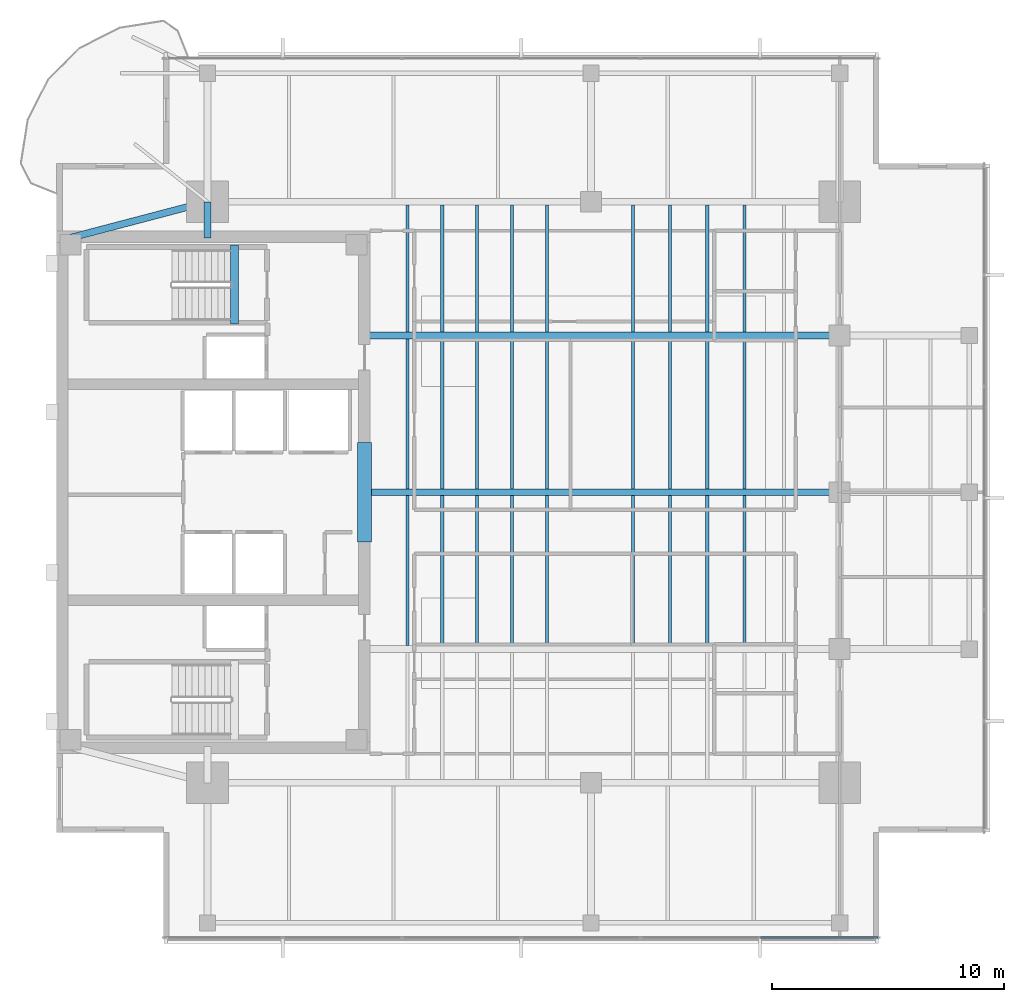
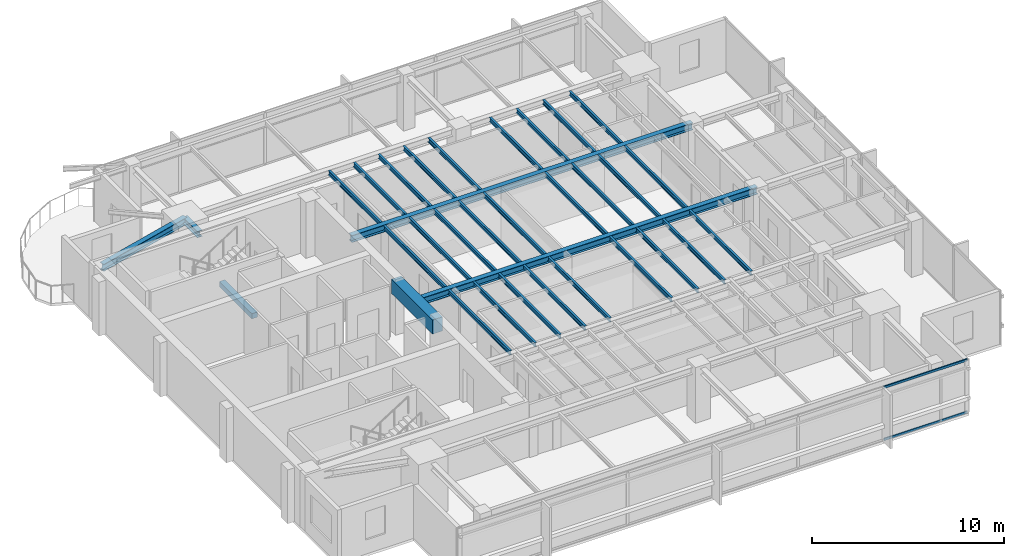
# One storey, part 3 of 14: 33 beams, 2 members, 1 element without a shape of its own.
"""IFC4 building model written with IfcOpenShell, lengths in metres."""

from ifc_helpers import new_model, si_unit, direction, frame, origin, origin_2d, place, context, subcontext, project, spatial, rectangle, i_section, extrude, material, layer, layer_set, material_profile, profile_set, type_object, element, aggregate, save


model = new_model("IFC4")

# Units and contexts
model_context = context("Model", 3, precision=1e-05, world=origin(), true_north=direction((0.0, 1.0)))
body_context = subcontext(model_context, "Body", "Model", "MODEL_VIEW")
ifc_project = project(units=[si_unit("LENGTHUNIT", "METRE"), si_unit("AREAUNIT", "SQUARE_METRE"), si_unit("VOLUMEUNIT", "CUBIC_METRE"), si_unit("PLANEANGLEUNIT", "RADIAN"), si_unit("MASSUNIT", "GRAM", prefix="KILO")], contexts=[model_context])

# Site, building, storey
site_placement = place(None, origin())
site = spatial("IfcSite", under=ifc_project, at=site_placement, CompositionType="ELEMENT")
building_placement = place(site_placement, origin())
building = spatial("IfcBuilding", under=site, at=building_placement, Name="Kinhvarn Gate Tower", CompositionType="ELEMENT")
storey_placement = place(building_placement, frame((0.0, 0.0, 252.800048828125)))
storey = spatial("IfcBuildingStorey", under=building, at=storey_placement, Name="L67", CompositionType="ELEMENT", Elevation=252.800048828125)

# Beams
ifc_material_1 = material(Name="Concrete C60/75", Category="concrete")
ifc_material_profile_1 = material_profile(ifc_material_1, rectangle(XDim=0.60009765625, YDim=0.89990234375, at=origin_2d()), Name="RC 600x900")
ifc_profile_set_1 = profile_set([ifc_material_profile_1], Name="Concrete C60/75")
beam_type_1 = type_object("IfcBeamType", Name="BM-CB-900", PredefinedType="LINTEL", material=ifc_profile_set_1)
beam_1_placement = place(storey_placement, frame((17.75, 23.10009765625, 2.93994140625), z_axis=(0.0, 1.0, 0.0), x_axis=(-1.0, 0.0, 0.0)))
element("IfcBeam", 1, at=beam_1_placement, inside=storey, type_object=beam_type_1, Name="Core East Portal Coupling Beam L67", PredefinedType="LINTEL", context=body_context, shape_type="SweptSolid", body=[
    extrude(rectangle(XDim=0.60009765625, YDim=0.89990234375, at=origin_2d()), origin(), (0.0, 0.0, 1.0), 4.2998046875),
])
ifc_material_2 = material(Name="Concrete C50/60", Category="concrete")
ifc_material_profile_2 = material_profile(ifc_material_2, rectangle(XDim=0.340087890625, YDim=0.320068359375, at=origin_2d()), Name="RC 340x320")
ifc_profile_set_2 = profile_set([ifc_material_profile_2], Name="Concrete C50/60")
beam_type_2 = type_object("IfcBeamType", Name="BM-LND-500", PredefinedType="BEAM", material=ifc_profile_set_2)
beam_2_placement = place(storey_placement, frame((12.1650390625, 32.5, -0.16015625), z_axis=(0.0, 1.0, 0.0), x_axis=(-1.0, 0.0, 0.0)))
element("IfcBeam", 2, at=beam_2_placement, inside=storey, type_object=beam_type_2, Name="Stair ST2 Landing Nosing Beam (L67)", PredefinedType="BEAM", context=body_context, shape_type="SweptSolid", body=[
    extrude(rectangle(XDim=0.340087890625, YDim=0.320068359375, at=origin_2d()), origin(), (0.0, 0.0, 1.0), 3.39990234375),
])

# Curtain wall, members
ifc_material_3 = material(Name="Anodised aluminium AW-6063", Category="aluminium")
ifc_layer = layer(ifc_material_3, 0.179931640625)
ifc_layer_set = layer_set([ifc_layer], Name="Anodised aluminium AW-6063")
curtain_wall_type = type_object("IfcCurtainWallType", Name="CW-SYS-3", PredefinedType="NOTDEFINED", material=ifc_layer_set)
curtain_wall_placement = place(storey_placement, origin())
curtain_wall = element("IfcCurtainWall", 3, at=curtain_wall_placement, inside=storey, type_object=curtain_wall_type, Name="Curtain Wall CW3 (L67)", PredefinedType="NOTDEFINED")
ifc_material_profile_3 = material_profile(ifc_material_3, rectangle(XDim=0.070068359375, YDim=0.139892578125, at=origin_2d()), Name="ALU 70x140")
ifc_profile_set_3 = profile_set([ifc_material_profile_3], Name="Anodised aluminium AW-6063")
member_type = type_object("IfcMemberType", Name="CW-TRN-140", PredefinedType="USERDEFINED", material=ifc_profile_set_3)
member_1_placement = place(storey_placement, frame((34.799072265625, 6.090087890625, 0.034912109375), z_axis=(1.0, 0.0, 0.0), x_axis=(0.0, 1.0, 0.0)))
member_1 = element("IfcMember", 4, at=member_1_placement, type_object=member_type, Name="CW3 transom 6.1", ObjectType="TRANSOM", PredefinedType="USERDEFINED", context=body_context, shape_type="SweptSolid", body=[
    extrude(rectangle(XDim=0.070068359375, YDim=0.139892578125, at=origin_2d()), origin(), (0.0, 0.0, 1.0), 5.035888671875),
])
member_2_placement = place(storey_placement, frame((34.799072265625, 6.090087890625, 3.35498046875), z_axis=(1.0, 0.0, 0.0), x_axis=(0.0, 1.0, 0.0)))
member_2 = element("IfcMember", 5, at=member_2_placement, type_object=member_type, Name="CW3 transom 6.2", ObjectType="TRANSOM", PredefinedType="USERDEFINED", context=body_context, shape_type="SweptSolid", body=[
    extrude(rectangle(XDim=0.070068359375, YDim=0.139892578125, at=origin_2d()), origin(), (0.0, 0.0, 1.0), 5.035888671875),
])
aggregate(curtain_wall, [member_1, member_2])

# Beams
ifc_material_4 = material(Name="Steel S355", Category="steel")
ifc_material_profile_4 = material_profile(ifc_material_4, i_section(OverallWidth=0.300048828125, OverallDepth=0.39990234375, WebThickness=0.013427734375, FlangeThickness=0.02392578125, at=origin_2d()), Name="HEB 400")
ifc_profile_set_4 = profile_set([ifc_material_profile_4], Name="Steel S355")
beam_type_3 = type_object("IfcBeamType", Name="STL-HEB400", PredefinedType="BEAM", material=ifc_profile_set_4)
beam_3_placement = place(storey_placement, frame((11.0, 36.199951171875, 3.18994140625), z_axis=(0.0, 1.0, 0.0), x_axis=(-1.0, 0.0, 0.0)))
element("IfcBeam", 6, at=beam_3_placement, inside=storey, type_object=beam_type_3, Name="Floor Beam PG-12 (L67 MCW-CN)", PredefinedType="BEAM", context=body_context, shape_type="SweptSolid", body=[
    extrude(i_section(OverallWidth=0.300048828125, OverallDepth=0.39990234375, WebThickness=0.013427734375, FlangeThickness=0.02392578125, at=origin_2d()), origin(), (0.0, 0.0, 1.0), 1.550048828125),
])
ifc_material_profile_5 = material_profile(ifc_material_4, i_section(OverallWidth=0.300048828125, OverallDepth=0.449951171875, WebThickness=0.013916015625, FlangeThickness=0.02587890625, at=origin_2d()), Name="HEB 450")
ifc_profile_set_5 = profile_set([ifc_material_profile_5], Name="Steel S355")
beam_type_4 = type_object("IfcBeamType", Name="STL-HEB450", PredefinedType="BEAM", material=ifc_profile_set_5)
beam_4_placement = place(storey_placement, frame((5.10009765625, 36.199951171875, 3.1650390625), z_axis=(0.967177623957, 0.254101246979, 0.0), x_axis=(-0.254101246979, 0.967177623957, 0.0)))
element("IfcBeam", 7, at=beam_4_placement, inside=storey, type_object=beam_type_4, Name="Floor Beam PG-13 (L67 MG-NW-DIAG)", PredefinedType="BEAM", context=body_context, shape_type="SweptSolid", body=[
    extrude(i_section(OverallWidth=0.300048828125, OverallDepth=0.449951171875, WebThickness=0.013916015625, FlangeThickness=0.02587890625, at=origin_2d()), origin(), (0.0, 0.0, 1.0), 6.10009765625),
])
beam_5_placement = place(storey_placement, frame((18.050048828125, 25.25, 3.1650390625), z_axis=(1.0, 0.0, 0.0), x_axis=(0.0, 1.0, 0.0)))
element("IfcBeam", 8, at=beam_5_placement, inside=storey, type_object=beam_type_4, Name="Floor Beam PG-13 (L67 EW1-Y25)", PredefinedType="BEAM", context=body_context, shape_type="SweptSolid", body=[
    extrude(i_section(OverallWidth=0.300048828125, OverallDepth=0.449951171875, WebThickness=0.013916015625, FlangeThickness=0.02587890625, at=origin_2d()), origin(), (0.0, 0.0, 1.0), 20.14990234375),
])
beam_6_placement = place(storey_placement, frame((17.64990234375, 32.0, 3.1650390625), z_axis=(1.0, 0.0, 0.0), x_axis=(0.0, 1.0, 0.0)))
element("IfcBeam", 9, at=beam_6_placement, inside=storey, type_object=beam_type_4, Name="Floor Beam PG-13 (L67 EW1-Y32)", PredefinedType="BEAM", context=body_context, shape_type="SweptSolid", body=[
    extrude(i_section(OverallWidth=0.300048828125, OverallDepth=0.449951171875, WebThickness=0.013916015625, FlangeThickness=0.02587890625, at=origin_2d()), origin(), (0.0, 0.0, 1.0), 20.550048828125),
])
ifc_material_profile_6 = material_profile(ifc_material_4, i_section(OverallWidth=0.135009765625, OverallDepth=0.27001953125, WebThickness=0.006591796875, FlangeThickness=0.01025390625, at=origin_2d()), Name="IPE 270")
ifc_profile_set_6 = profile_set([ifc_material_profile_6], Name="Steel S355")
beam_type_5 = type_object("IfcBeamType", Name="STL-IPE270", PredefinedType="JOIST", material=ifc_profile_set_6)
for number, where, z_axis, x_axis, name in (
    (10, (19.60009765625, 18.64990234375, 3.2548828125), (0.0, 1.0, 0.0), (-1.0, 0.0, 0.0), "Floor Joist SB-01 (L67 JC-X196-1)"),
    (11, (19.60009765625, 25.39990234375, 3.2548828125), (0.0, 1.0, 0.0), (-1.0, 0.0, 0.0), "Floor Joist SB-01 (L67 JC-X196-2)"),
):
    element("IfcBeam", number, at=place(storey_placement, frame(where, z_axis=z_axis, x_axis=x_axis)), inside=storey, type_object=beam_type_5, Name=name, PredefinedType="JOIST", context=body_context, shape_type="SweptSolid", body=[
        extrude(i_section(OverallWidth=0.135009765625, OverallDepth=0.27001953125, WebThickness=0.006591796875, FlangeThickness=0.01025390625, at=origin_2d()), origin(), (0.0, 0.0, 1.0), 6.4501953125),
    ])
beam_7_placement = place(storey_placement, frame((19.60009765625, 32.14990234375, 3.2548828125), z_axis=(0.0, 1.0, 0.0), x_axis=(-1.0, 0.0, 0.0)))
element("IfcBeam", 12, at=beam_7_placement, inside=storey, type_object=beam_type_5, Name="Floor Joist SB-01 (L67 JC-X196-3)", PredefinedType="JOIST", context=body_context, shape_type="SweptSolid", body=[
    extrude(i_section(OverallWidth=0.135009765625, OverallDepth=0.27001953125, WebThickness=0.006591796875, FlangeThickness=0.01025390625, at=origin_2d()), origin(), (0.0, 0.0, 1.0), 5.4501953125),
])
for number, where, z_axis, x_axis, name in (
    (13, (21.10009765625, 18.64990234375, 3.2548828125), (0.0, 1.0, 0.0), (-1.0, 0.0, 0.0), "Floor Joist SB-01 (L67 JC-X211-1)"),
    (14, (21.10009765625, 25.39990234375, 3.2548828125), (0.0, 1.0, 0.0), (-1.0, 0.0, 0.0), "Floor Joist SB-01 (L67 JC-X211-2)"),
):
    element("IfcBeam", number, at=place(storey_placement, frame(where, z_axis=z_axis, x_axis=x_axis)), inside=storey, type_object=beam_type_5, Name=name, PredefinedType="JOIST", context=body_context, shape_type="SweptSolid", body=[
        extrude(i_section(OverallWidth=0.135009765625, OverallDepth=0.27001953125, WebThickness=0.006591796875, FlangeThickness=0.01025390625, at=origin_2d()), origin(), (0.0, 0.0, 1.0), 6.4501953125),
    ])
beam_8_placement = place(storey_placement, frame((21.10009765625, 32.14990234375, 3.2548828125), z_axis=(0.0, 1.0, 0.0), x_axis=(-1.0, 0.0, 0.0)))
element("IfcBeam", 15, at=beam_8_placement, inside=storey, type_object=beam_type_5, Name="Floor Joist SB-01 (L67 JC-X211-3)", PredefinedType="JOIST", context=body_context, shape_type="SweptSolid", body=[
    extrude(i_section(OverallWidth=0.135009765625, OverallDepth=0.27001953125, WebThickness=0.006591796875, FlangeThickness=0.01025390625, at=origin_2d()), origin(), (0.0, 0.0, 1.0), 5.4501953125),
])
for number, where, z_axis, x_axis, name in (
    (16, (22.60009765625, 18.64990234375, 3.2548828125), (0.0, 1.0, 0.0), (-1.0, 0.0, 0.0), "Floor Joist SB-01 (L67 JC-X226-1)"),
    (17, (22.60009765625, 25.39990234375, 3.2548828125), (0.0, 1.0, 0.0), (-1.0, 0.0, 0.0), "Floor Joist SB-01 (L67 JC-X226-2)"),
):
    element("IfcBeam", number, at=place(storey_placement, frame(where, z_axis=z_axis, x_axis=x_axis)), inside=storey, type_object=beam_type_5, Name=name, PredefinedType="JOIST", context=body_context, shape_type="SweptSolid", body=[
        extrude(i_section(OverallWidth=0.135009765625, OverallDepth=0.27001953125, WebThickness=0.006591796875, FlangeThickness=0.01025390625, at=origin_2d()), origin(), (0.0, 0.0, 1.0), 6.4501953125),
    ])
beam_9_placement = place(storey_placement, frame((22.60009765625, 32.14990234375, 3.2548828125), z_axis=(0.0, 1.0, 0.0), x_axis=(-1.0, 0.0, 0.0)))
element("IfcBeam", 18, at=beam_9_placement, inside=storey, type_object=beam_type_5, Name="Floor Joist SB-01 (L67 JC-X226-3)", PredefinedType="JOIST", context=body_context, shape_type="SweptSolid", body=[
    extrude(i_section(OverallWidth=0.135009765625, OverallDepth=0.27001953125, WebThickness=0.006591796875, FlangeThickness=0.01025390625, at=origin_2d()), origin(), (0.0, 0.0, 1.0), 5.4501953125),
])
for number, where, z_axis, x_axis, name in (
    (19, (24.10009765625, 18.64990234375, 3.2548828125), (0.0, 1.0, 0.0), (-1.0, 0.0, 0.0), "Floor Joist SB-01 (L67 JC-X241-1)"),
    (20, (24.10009765625, 25.39990234375, 3.2548828125), (0.0, 1.0, 0.0), (-1.0, 0.0, 0.0), "Floor Joist SB-01 (L67 JC-X241-2)"),
):
    element("IfcBeam", number, at=place(storey_placement, frame(where, z_axis=z_axis, x_axis=x_axis)), inside=storey, type_object=beam_type_5, Name=name, PredefinedType="JOIST", context=body_context, shape_type="SweptSolid", body=[
        extrude(i_section(OverallWidth=0.135009765625, OverallDepth=0.27001953125, WebThickness=0.006591796875, FlangeThickness=0.01025390625, at=origin_2d()), origin(), (0.0, 0.0, 1.0), 6.4501953125),
    ])
beam_10_placement = place(storey_placement, frame((24.10009765625, 32.14990234375, 3.2548828125), z_axis=(0.0, 1.0, 0.0), x_axis=(-1.0, 0.0, 0.0)))
element("IfcBeam", 21, at=beam_10_placement, inside=storey, type_object=beam_type_5, Name="Floor Joist SB-01 (L67 JC-X241-3)", PredefinedType="JOIST", context=body_context, shape_type="SweptSolid", body=[
    extrude(i_section(OverallWidth=0.135009765625, OverallDepth=0.27001953125, WebThickness=0.006591796875, FlangeThickness=0.01025390625, at=origin_2d()), origin(), (0.0, 0.0, 1.0), 5.4501953125),
])
for number, where, z_axis, x_axis, name in (
    (22, (25.60009765625, 18.64990234375, 3.2548828125), (0.0, 1.0, 0.0), (-1.0, 0.0, 0.0), "Floor Joist SB-01 (L67 JC-X256-1)"),
    (23, (25.60009765625, 25.39990234375, 3.2548828125), (0.0, 1.0, 0.0), (-1.0, 0.0, 0.0), "Floor Joist SB-01 (L67 JC-X256-2)"),
):
    element("IfcBeam", number, at=place(storey_placement, frame(where, z_axis=z_axis, x_axis=x_axis)), inside=storey, type_object=beam_type_5, Name=name, PredefinedType="JOIST", context=body_context, shape_type="SweptSolid", body=[
        extrude(i_section(OverallWidth=0.135009765625, OverallDepth=0.27001953125, WebThickness=0.006591796875, FlangeThickness=0.01025390625, at=origin_2d()), origin(), (0.0, 0.0, 1.0), 6.4501953125),
    ])
beam_11_placement = place(storey_placement, frame((25.60009765625, 32.14990234375, 3.2548828125), z_axis=(0.0, 1.0, 0.0), x_axis=(-1.0, 0.0, 0.0)))
element("IfcBeam", 24, at=beam_11_placement, inside=storey, type_object=beam_type_5, Name="Floor Joist SB-01 (L67 JC-X256-3)", PredefinedType="JOIST", context=body_context, shape_type="SweptSolid", body=[
    extrude(i_section(OverallWidth=0.135009765625, OverallDepth=0.27001953125, WebThickness=0.006591796875, FlangeThickness=0.01025390625, at=origin_2d()), origin(), (0.0, 0.0, 1.0), 5.4501953125),
])
for number, where, z_axis, x_axis, name in (
    (25, (29.300048828125, 18.64990234375, 3.2548828125), (0.0, 1.0, 0.0), (-1.0, 0.0, 0.0), "Floor Joist SB-01 (L67 JC-X293-1)"),
    (26, (29.300048828125, 25.39990234375, 3.2548828125), (0.0, 1.0, 0.0), (-1.0, 0.0, 0.0), "Floor Joist SB-01 (L67 JC-X293-2)"),
):
    element("IfcBeam", number, at=place(storey_placement, frame(where, z_axis=z_axis, x_axis=x_axis)), inside=storey, type_object=beam_type_5, Name=name, PredefinedType="JOIST", context=body_context, shape_type="SweptSolid", body=[
        extrude(i_section(OverallWidth=0.135009765625, OverallDepth=0.27001953125, WebThickness=0.006591796875, FlangeThickness=0.01025390625, at=origin_2d()), origin(), (0.0, 0.0, 1.0), 6.4501953125),
    ])
beam_12_placement = place(storey_placement, frame((29.300048828125, 32.14990234375, 3.2548828125), z_axis=(0.0, 1.0, 0.0), x_axis=(-1.0, 0.0, 0.0)))
element("IfcBeam", 27, at=beam_12_placement, inside=storey, type_object=beam_type_5, Name="Floor Joist SB-01 (L67 JC-X293-3)", PredefinedType="JOIST", context=body_context, shape_type="SweptSolid", body=[
    extrude(i_section(OverallWidth=0.135009765625, OverallDepth=0.27001953125, WebThickness=0.006591796875, FlangeThickness=0.01025390625, at=origin_2d()), origin(), (0.0, 0.0, 1.0), 5.4501953125),
])
for number, where, z_axis, x_axis, name in (
    (28, (30.89990234375, 18.64990234375, 3.2548828125), (0.0, 1.0, 0.0), (-1.0, 0.0, 0.0), "Floor Joist SB-01 (L67 JC-X309-1)"),
    (29, (30.89990234375, 25.39990234375, 3.2548828125), (0.0, 1.0, 0.0), (-1.0, 0.0, 0.0), "Floor Joist SB-01 (L67 JC-X309-2)"),
):
    element("IfcBeam", number, at=place(storey_placement, frame(where, z_axis=z_axis, x_axis=x_axis)), inside=storey, type_object=beam_type_5, Name=name, PredefinedType="JOIST", context=body_context, shape_type="SweptSolid", body=[
        extrude(i_section(OverallWidth=0.135009765625, OverallDepth=0.27001953125, WebThickness=0.006591796875, FlangeThickness=0.01025390625, at=origin_2d()), origin(), (0.0, 0.0, 1.0), 6.4501953125),
    ])
beam_13_placement = place(storey_placement, frame((30.89990234375, 32.14990234375, 3.2548828125), z_axis=(0.0, 1.0, 0.0), x_axis=(-1.0, 0.0, 0.0)))
element("IfcBeam", 30, at=beam_13_placement, inside=storey, type_object=beam_type_5, Name="Floor Joist SB-01 (L67 JC-X309-3)", PredefinedType="JOIST", context=body_context, shape_type="SweptSolid", body=[
    extrude(i_section(OverallWidth=0.135009765625, OverallDepth=0.27001953125, WebThickness=0.006591796875, FlangeThickness=0.01025390625, at=origin_2d()), origin(), (0.0, 0.0, 1.0), 5.4501953125),
])
for number, where, z_axis, x_axis, name in (
    (31, (32.5, 18.64990234375, 3.2548828125), (0.0, 1.0, 0.0), (-1.0, 0.0, 0.0), "Floor Joist SB-01 (L67 JC-X325-1)"),
    (32, (32.5, 25.39990234375, 3.2548828125), (0.0, 1.0, 0.0), (-1.0, 0.0, 0.0), "Floor Joist SB-01 (L67 JC-X325-2)"),
):
    element("IfcBeam", number, at=place(storey_placement, frame(where, z_axis=z_axis, x_axis=x_axis)), inside=storey, type_object=beam_type_5, Name=name, PredefinedType="JOIST", context=body_context, shape_type="SweptSolid", body=[
        extrude(i_section(OverallWidth=0.135009765625, OverallDepth=0.27001953125, WebThickness=0.006591796875, FlangeThickness=0.01025390625, at=origin_2d()), origin(), (0.0, 0.0, 1.0), 6.4501953125),
    ])
beam_14_placement = place(storey_placement, frame((32.5, 32.14990234375, 3.2548828125), z_axis=(0.0, 1.0, 0.0), x_axis=(-1.0, 0.0, 0.0)))
element("IfcBeam", 33, at=beam_14_placement, inside=storey, type_object=beam_type_5, Name="Floor Joist SB-01 (L67 JC-X325-3)", PredefinedType="JOIST", context=body_context, shape_type="SweptSolid", body=[
    extrude(i_section(OverallWidth=0.135009765625, OverallDepth=0.27001953125, WebThickness=0.006591796875, FlangeThickness=0.01025390625, at=origin_2d()), origin(), (0.0, 0.0, 1.0), 5.4501953125),
])
for number, where, z_axis, x_axis, name in (
    (34, (34.10009765625, 18.64990234375, 3.2548828125), (0.0, 1.0, 0.0), (-1.0, 0.0, 0.0), "Floor Joist SB-01 (L67 JC-X341-1)"),
    (35, (34.10009765625, 25.39990234375, 3.2548828125), (0.0, 1.0, 0.0), (-1.0, 0.0, 0.0), "Floor Joist SB-01 (L67 JC-X341-2)"),
):
    element("IfcBeam", number, at=place(storey_placement, frame(where, z_axis=z_axis, x_axis=x_axis)), inside=storey, type_object=beam_type_5, Name=name, PredefinedType="JOIST", context=body_context, shape_type="SweptSolid", body=[
        extrude(i_section(OverallWidth=0.135009765625, OverallDepth=0.27001953125, WebThickness=0.006591796875, FlangeThickness=0.01025390625, at=origin_2d()), origin(), (0.0, 0.0, 1.0), 6.4501953125),
    ])
beam_15_placement = place(storey_placement, frame((34.10009765625, 32.14990234375, 3.2548828125), z_axis=(0.0, 1.0, 0.0), x_axis=(-1.0, 0.0, 0.0)))
element("IfcBeam", 36, at=beam_15_placement, inside=storey, type_object=beam_type_5, Name="Floor Joist SB-01 (L67 JC-X341-3)", PredefinedType="JOIST", context=body_context, shape_type="SweptSolid", body=[
    extrude(i_section(OverallWidth=0.135009765625, OverallDepth=0.27001953125, WebThickness=0.006591796875, FlangeThickness=0.01025390625, at=origin_2d()), origin(), (0.0, 0.0, 1.0), 5.4501953125),
])

save(model, "model.ifc")
